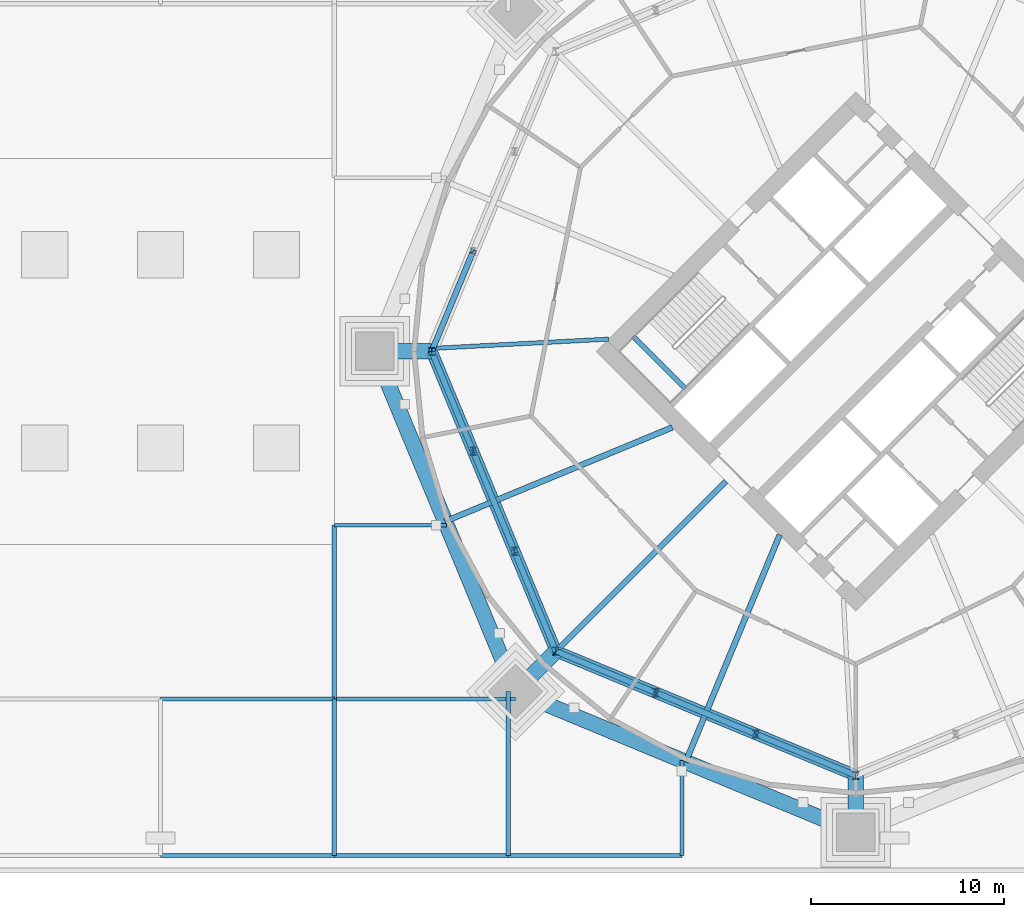
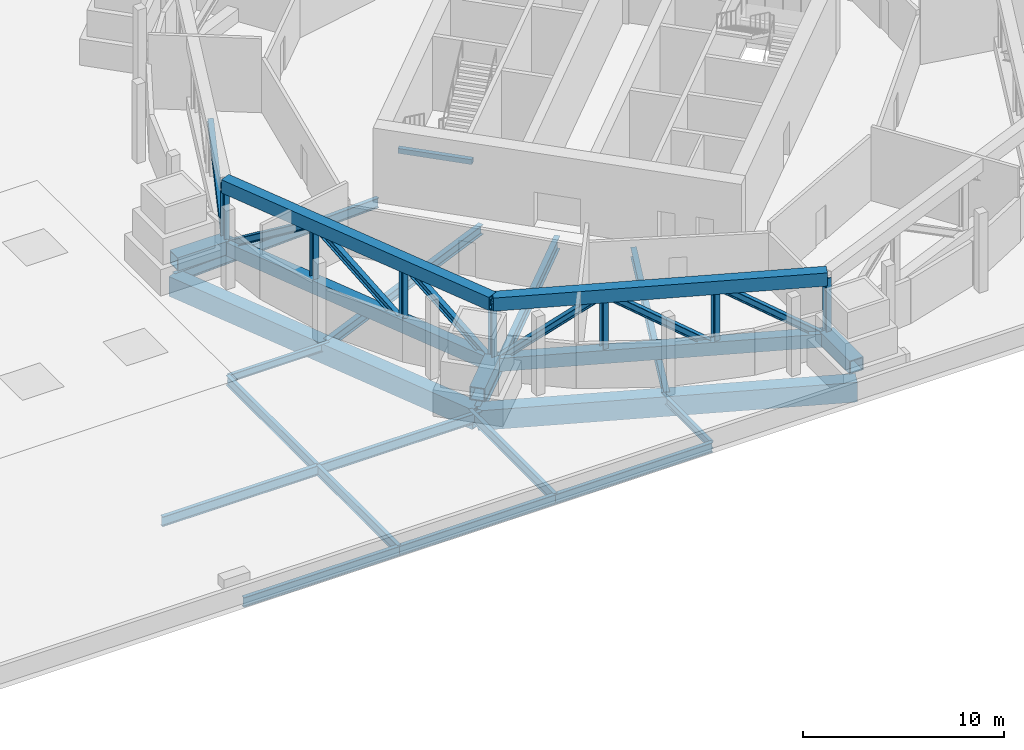
# One storey, part 6 of 21: 20 beams, 18 members.
"""IFC4 building model written with IfcOpenShell, lengths in metres."""

from ifc_helpers import new_model, si_unit, direction, frame, origin, origin_2d, place, context, subcontext, project, spatial, rectangle, hollow_rectangle, i_section, extrude, material, material_profile, profile_set, type_object, element, save


model = new_model("IFC4")

# Units and contexts
model_context = context("Model", 3, precision=1e-05, world=origin(), true_north=direction((0.0, 1.0)))
body_context = subcontext(model_context, "Body", "Model", "MODEL_VIEW")
ifc_project = project(units=[si_unit("LENGTHUNIT", "METRE"), si_unit("AREAUNIT", "SQUARE_METRE"), si_unit("VOLUMEUNIT", "CUBIC_METRE"), si_unit("PLANEANGLEUNIT", "RADIAN"), si_unit("MASSUNIT", "GRAM", prefix="KILO")], contexts=[model_context])

# Site, building, storey
site_placement = place(None, origin())
site = spatial("IfcSite", under=ifc_project, at=site_placement, CompositionType="ELEMENT")
building_placement = place(site_placement, origin())
building = spatial("IfcBuilding", under=site, at=building_placement, Name="Ogive Gate Towers", CompositionType="ELEMENT")
storey_placement = place(building_placement, frame((0.0, 0.0, 27.60009765625)))
storey = spatial("IfcBuildingStorey", under=building, at=storey_placement, Name="L05", CompositionType="ELEMENT", Elevation=27.60009765625)

# Beams
ifc_material_1 = material(Name="Steel SM460", Category="steel")
ifc_material_profile_1 = material_profile(ifc_material_1, hollow_rectangle(XDim=0.800048828125, YDim=1.199951171875, WallThickness=0.050048828125, at=origin_2d()), Name="BX 1200x800x50")
ifc_profile_set_1 = profile_set([ifc_material_profile_1], Name="Steel SM460")
beam_type_1 = type_object("IfcBeamType", Name="Edge girder BX 1200x800x50", PredefinedType="BEAM", material=ifc_profile_set_1)
for number, where, z_axis, x_axis, name in (
    (1, (18.385986328125, -17.614013671875, -0.900146484375), (0.923880736283, -0.382680526191, 0.0), (0.382680526191, 0.923880736283, 0.0), "T2/L05/SBM017"),
    (2, (11.090087890625, 0.0, -0.900146484375), (0.382680526191, -0.923880736283, 0.0), (0.923880736283, 0.382680526191, 0.0), "T2/L05/SBM024"),
):
    element("IfcBeam", number, at=place(storey_placement, frame(where, z_axis=z_axis, x_axis=x_axis)), inside=storey, type_object=beam_type_1, Name=name, PredefinedType="BEAM", context=body_context, shape_type="SweptSolid", body=[
        extrude(hollow_rectangle(XDim=0.800048828125, YDim=1.199951171875, WallThickness=0.050048828125, at=origin_2d()), origin(), (0.0, 0.0, 1.0), 19.065185546875),
    ])
ifc_material_2 = material(Name="Steel SM355", Category="steel")
ifc_material_profile_2 = material_profile(ifc_material_2, i_section(OverallWidth=0.18994140625, OverallDepth=0.449951171875, WebThickness=0.009521484375, FlangeThickness=0.0146484375, FilletRadius=0.02099609375, at=origin_2d()), Name="IPE 450")
ifc_profile_set_2 = profile_set([ifc_material_profile_2], Name="Steel SM355")
beam_type_2 = type_object("IfcBeamType", Name="Floor beam IPE 450", PredefinedType="BEAM", material=ifc_profile_set_2)
beam_1_placement = place(storey_placement, frame((9.0, -9.0, -0.525146484375), z_axis=(1.0, 0.0, 0.0), x_axis=(0.0, 1.0, 0.0)))
element("IfcBeam", 3, at=beam_1_placement, inside=storey, type_object=beam_type_2, Name="PD/L05/SBM059", PredefinedType="BEAM", context=body_context, shape_type="SweptSolid", body=[
    extrude(i_section(OverallWidth=0.18994140625, OverallDepth=0.449951171875, WebThickness=0.009521484375, FlangeThickness=0.0146484375, FilletRadius=0.02099609375, at=origin_2d()), origin(), (0.0, 0.0, 1.0), 5.81787109375),
])
beam_2_placement = place(storey_placement, frame((27.0, -26.10009765625, -0.525146484375), z_axis=(0.0, 1.0, 0.0), x_axis=(-1.0, 0.0, 0.0)))
element("IfcBeam", 4, at=beam_2_placement, inside=storey, type_object=beam_type_2, Name="PD/L05/SBM061", PredefinedType="BEAM", context=body_context, shape_type="SweptSolid", body=[
    extrude(i_section(OverallWidth=0.18994140625, OverallDepth=0.449951171875, WebThickness=0.009521484375, FlangeThickness=0.0146484375, FilletRadius=0.02099609375, at=origin_2d()), origin(), (0.0, 0.0, 1.0), 4.91796875),
])
ifc_material_profile_3 = material_profile(ifc_material_2, i_section(OverallWidth=0.219970703125, OverallDepth=0.60009765625, WebThickness=0.011962890625, FlangeThickness=0.01904296875, FilletRadius=0.02392578125, at=origin_2d()), Name="IPE 600")
ifc_profile_set_3 = profile_set([ifc_material_profile_3], Name="Steel SM355")
beam_type_3 = type_object("IfcBeamType", Name="Floor beam IPE 600", PredefinedType="BEAM", material=ifc_profile_set_3)
beam_3_placement = place(storey_placement, frame((9.0, -26.10009765625, -0.60009765625), z_axis=(0.0, 1.0, 0.0), x_axis=(-1.0, 0.0, 0.0)))
element("IfcBeam", 5, at=beam_3_placement, inside=storey, type_object=beam_type_3, Name="PD/L05/SBM011", PredefinedType="BEAM", context=body_context, shape_type="SweptSolid", body=[
    extrude(i_section(OverallWidth=0.219970703125, OverallDepth=0.60009765625, WebThickness=0.011962890625, FlangeThickness=0.01904296875, FilletRadius=0.02392578125, at=origin_2d()), origin(), (0.0, 0.0, 1.0), 8.10009765625),
])
beam_4_placement = place(storey_placement, frame((9.0, -18.0, -0.60009765625), z_axis=(0.0, 1.0, 0.0), x_axis=(-1.0, 0.0, 0.0)))
element("IfcBeam", 6, at=beam_4_placement, inside=storey, type_object=beam_type_3, Name="PD/L05/SBM012", PredefinedType="BEAM", context=body_context, shape_type="SweptSolid", body=[
    extrude(i_section(OverallWidth=0.219970703125, OverallDepth=0.60009765625, WebThickness=0.011962890625, FlangeThickness=0.01904296875, FilletRadius=0.02392578125, at=origin_2d()), origin(), (0.0, 0.0, 1.0), 9.0),
])
beam_5_placement = place(storey_placement, frame((18.0, -26.10009765625, -0.60009765625), z_axis=(0.0, 1.0, 0.0), x_axis=(-1.0, 0.0, 0.0)))
element("IfcBeam", 7, at=beam_5_placement, inside=storey, type_object=beam_type_3, Name="PD/L05/SBM015", PredefinedType="BEAM", context=body_context, shape_type="SweptSolid", body=[
    extrude(i_section(OverallWidth=0.219970703125, OverallDepth=0.60009765625, WebThickness=0.011962890625, FlangeThickness=0.01904296875, FilletRadius=0.02392578125, at=origin_2d()), origin(), (0.0, 0.0, 1.0), 8.486083984375),
])
beam_6_placement = place(storey_placement, frame((0.0, -18.0, -0.60009765625), z_axis=(1.0, 0.0, 0.0), x_axis=(0.0, 1.0, 0.0)))
element("IfcBeam", 8, at=beam_6_placement, inside=storey, type_object=beam_type_3, Name="PD/L05/SBM022", PredefinedType="BEAM", context=body_context, shape_type="SweptSolid", body=[
    extrude(i_section(OverallWidth=0.219970703125, OverallDepth=0.60009765625, WebThickness=0.011962890625, FlangeThickness=0.01904296875, FilletRadius=0.02392578125, at=origin_2d()), origin(), (0.0, 0.0, 1.0), 9.0),
])
beam_7_placement = place(storey_placement, frame((9.0, -18.0, -0.60009765625), z_axis=(1.0, 0.0, 0.0), x_axis=(0.0, 1.0, 0.0)))
element("IfcBeam", 9, at=beam_7_placement, inside=storey, type_object=beam_type_3, Name="PD/L05/SBM023", PredefinedType="BEAM", context=body_context, shape_type="SweptSolid", body=[
    extrude(i_section(OverallWidth=0.219970703125, OverallDepth=0.60009765625, WebThickness=0.011962890625, FlangeThickness=0.01904296875, FilletRadius=0.02392578125, at=origin_2d()), origin(), (0.0, 0.0, 1.0), 9.385986328125),
])
for number, where, z_axis, x_axis, name in (
    (10, (27.0, -26.10009765625, -0.60009765625), (-1.0, 0.0, 0.0), (0.0, -1.0, 0.0), "PD/L05/SBM032"),
    (11, (18.0, -26.10009765625, -0.60009765625), (-1.0, 0.0, 0.0), (0.0, -1.0, 0.0), "PD/L05/SBM033"),
    (12, (9.0, -26.10009765625, -0.60009765625), (-1.0, 0.0, 0.0), (0.0, -1.0, 0.0), "PD/L05/SBM034"),
):
    element("IfcBeam", number, at=place(storey_placement, frame(where, z_axis=z_axis, x_axis=x_axis)), inside=storey, type_object=beam_type_3, Name=name, PredefinedType="BEAM", context=body_context, shape_type="SweptSolid", body=[
        extrude(i_section(OverallWidth=0.219970703125, OverallDepth=0.60009765625, WebThickness=0.011962890625, FlangeThickness=0.01904296875, FilletRadius=0.02392578125, at=origin_2d()), origin(), (0.0, 0.0, 1.0), 9.0),
    ])
ifc_material_3 = material(Name="Concrete C40/50", Category="concrete")
ifc_material_profile_4 = material_profile(ifc_material_3, rectangle(XDim=0.25, YDim=0.300048828125, at=origin_2d()), Name="RC 250x300")
ifc_profile_set_4 = profile_set([ifc_material_profile_4], Name="Concrete C40/50")
beam_type_4 = type_object("IfcBeamType", Name="Landing bearer RC 250x300", PredefinedType="BEAM", material=ifc_profile_set_4)
beam_8_placement = place(storey_placement, frame((24.472412109375, 0.77587890625, 2.0498046875), z_axis=(0.707106781187, -0.707106781187, 0.0), x_axis=(0.707106781187, 0.707106781187, 0.0)))
element("IfcBeam", 13, at=beam_8_placement, inside=storey, type_object=beam_type_4, Name="T2 L05 stair 1 landing bearer 1", PredefinedType="BEAM", context=body_context, shape_type="SweptSolid", body=[
    extrude(rectangle(XDim=0.25, YDim=0.300048828125, at=origin_2d()), origin(), (0.0, 0.0, 1.0), 3.824951171875),
])
ifc_material_profile_5 = material_profile(ifc_material_1, hollow_rectangle(XDim=0.800048828125, YDim=0.800048828125, WallThickness=0.050048828125, at=origin_2d()), Name="BX 800x800x50")
ifc_profile_set_5 = profile_set([ifc_material_profile_5], Name="Steel SM460")
beam_type_5 = type_object("IfcBeamType", Name="Node arm BX 800x800x50", PredefinedType="BEAM", material=ifc_profile_set_5)
for number, where, z_axis, x_axis, name in (
    (14, (14.0400390625, 0.0, 0.449951171875), (-1.0, 0.0, 0.0), (0.0, -1.0, 0.0), "T2/L05/SBM029"),
    (15, (20.471923828125, -15.528076171875, 0.449951171875), (-0.707106781187, -0.707106781187, 0.0), (0.707106781187, -0.707106781187, 0.0), "T2/L05/SBM030"),
    (16, (36.0, -21.9599609375, 0.449951171875), (0.0, -1.0, 0.0), (1.0, 0.0, 0.0), "T2/L05/SBM031"),
):
    element("IfcBeam", number, at=place(storey_placement, frame(where, z_axis=z_axis, x_axis=x_axis)), inside=storey, type_object=beam_type_5, Name=name, PredefinedType="BEAM", context=body_context, shape_type="SweptSolid", body=[
        extrude(hollow_rectangle(XDim=0.800048828125, YDim=0.800048828125, WallThickness=0.050048828125, at=origin_2d()), origin(), (0.0, 0.0, 1.0), 2.949951171875),
    ])
ifc_material_profile_6 = material_profile(ifc_material_2, i_section(OverallWidth=0.300048828125, OverallDepth=0.590087890625, WebThickness=0.012939453125, FlangeThickness=0.02490234375, FilletRadius=0.027099609375, at=origin_2d()), Name="HE 600 A")
ifc_profile_set_6 = profile_set([ifc_material_profile_6], Name="Steel SM355")
beam_type_6 = type_object("IfcBeamType", Name="Radial floor beam HE 600 A", PredefinedType="BEAM", material=ifc_profile_set_6)
for number, where, z_axis, x_axis, name in (
    (17, (32.06494140625, -9.5, -0.59521484375), (-0.382690523214, -0.923876595354, 0.0), (0.923876595354, -0.382690523214, 0.0), "T2/L05/SBM002"),
    (18, (26.5, -3.93505859375, -0.59521484375), (-0.923876595354, -0.382690523214, 0.0), (0.382690523214, -0.923876595354, 0.0), "T2/L05/SBM016"),
):
    element("IfcBeam", number, at=place(storey_placement, frame(where, z_axis=z_axis, x_axis=x_axis)), inside=storey, type_object=beam_type_6, Name=name, PredefinedType="BEAM", context=body_context, shape_type="SweptSolid", body=[
        extrude(i_section(OverallWidth=0.300048828125, OverallDepth=0.590087890625, WebThickness=0.012939453125, FlangeThickness=0.02490234375, FilletRadius=0.027099609375, at=origin_2d()), origin(), (0.0, 0.0, 1.0), 12.731201171875),
    ])
ifc_material_profile_7 = material_profile(ifc_material_2, i_section(OverallWidth=0.300048828125, OverallDepth=0.7900390625, WebThickness=0.014892578125, FlangeThickness=0.028076171875, FilletRadius=0.030029296875, at=origin_2d()), Name="HE 800 A")
ifc_profile_set_7 = profile_set([ifc_material_profile_7], Name="Steel SM355")
beam_type_7 = type_object("IfcBeamType", Name="Radial floor beam HE 800 A", PredefinedType="BEAM", material=ifc_profile_set_7)
beam_9_placement = place(storey_placement, frame((29.282470703125, -6.717529296875, -0.695068359375), z_axis=(-0.707106781187, -0.707106781187, 0.0), x_axis=(0.707106781187, -0.707106781187, 0.0)))
element("IfcBeam", 19, at=beam_9_placement, inside=storey, type_object=beam_type_7, Name="T2/L05/SBM001", PredefinedType="BEAM", context=body_context, shape_type="SweptSolid", body=[
    extrude(i_section(OverallWidth=0.300048828125, OverallDepth=0.7900390625, WebThickness=0.014892578125, FlangeThickness=0.028076171875, FilletRadius=0.030029296875, at=origin_2d()), origin(), (0.0, 0.0, 1.0), 15.409912109375),
])
ifc_material_profile_8 = material_profile(ifc_material_2, i_section(OverallWidth=0.219970703125, OverallDepth=0.60009765625, WebThickness=0.011962890625, FlangeThickness=0.01904296875, FilletRadius=0.02392578125, at=origin_2d()), Name="IPE 600")
ifc_profile_set_8 = profile_set([ifc_material_profile_8], Name="Steel SM355")
beam_type_8 = type_object("IfcBeamType", Name="Radial floor beam IPE 600", PredefinedType="BEAM", material=ifc_profile_set_8)
beam_10_placement = place(storey_placement, frame((23.201416015625, 0.636474609375, -0.60009765625), z_axis=(-0.998621996823, -0.052479590907, 0.0), x_axis=(0.052479590907, -0.998621996823, 0.0)))
element("IfcBeam", 20, at=beam_10_placement, inside=storey, type_object=beam_type_8, Name="T2/L05/SBM015", PredefinedType="BEAM", context=body_context, shape_type="SweptSolid", body=[
    extrude(i_section(OverallWidth=0.219970703125, OverallDepth=0.60009765625, WebThickness=0.011962890625, FlangeThickness=0.01904296875, FilletRadius=0.02392578125, at=origin_2d()), origin(), (0.0, 0.0, 1.0), 12.1279296875),
])

# Members
ifc_material_profile_9 = material_profile(ifc_material_1, hollow_rectangle(XDim=0.60009765625, YDim=0.800048828125, WallThickness=0.0400390625, at=origin_2d()), Name="BX 800x600x40")
ifc_profile_set_9 = profile_set([ifc_material_profile_9], Name="Steel SM460")
member_type_1 = type_object("IfcMemberType", Name="Truss chord BX 800x600x40", PredefinedType="CHORD", material=ifc_profile_set_9)
for number, where, z_axis, x_axis, name in (
    (21, (14.0400390625, 0.0, 0.39990234375), (0.382680640128, -0.923880689089, 0.0), (0.923880689089, 0.382680640128, 0.0), "T2/L05/STR034"),
    (22, (14.0400390625, 0.0, 4.099853515625), (0.382680640128, -0.923880689089, 0.0), (0.923880689089, 0.382680640128, 0.0), "T2/L05/STR035"),
    (23, (20.471923828125, -15.528076171875, 0.39990234375), (0.923880689089, -0.382680640128, 0.0), (0.382680640128, 0.923880689089, 0.0), "T2/L05/STR042"),
    (24, (20.471923828125, -15.528076171875, 4.099853515625), (0.923880689089, -0.382680640128, 0.0), (0.382680640128, 0.923880689089, 0.0), "T2/L05/STR043"),
):
    element("IfcMember", number, at=place(storey_placement, frame(where, z_axis=z_axis, x_axis=x_axis)), inside=storey, type_object=member_type_1, Name=name, PredefinedType="CHORD", context=body_context, shape_type="SweptSolid", body=[
        extrude(hollow_rectangle(XDim=0.60009765625, YDim=0.800048828125, WallThickness=0.0400390625, at=origin_2d()), origin(), (0.0, 0.0, 1.0), 16.807373046875),
    ])
ifc_material_profile_10 = material_profile(ifc_material_1, i_section(OverallWidth=0.300048828125, OverallDepth=0.39990234375, WebThickness=0.013427734375, FlangeThickness=0.02392578125, FilletRadius=0.027099609375, at=origin_2d()), Name="HE 400 B")
ifc_profile_set_10 = profile_set([ifc_material_profile_10], Name="Steel SM460")
member_type_2 = type_object("IfcMemberType", Name="Truss diagonal HE 400 B", PredefinedType="BRACE", material=ifc_profile_set_10)
for number, where, z_axis, x_axis, name in (
    (25, (16.18408203125, 5.176025390625, 4.099853515625), (-0.319339131165, -0.770930189005, -0.551079996904), (0.92387555344, -0.382693038551, 0.0), "T2/L05/STR030"),
    (26, (14.0400390625, 0.0, 0.39990234375), (0.319339131165, -0.770930189005, 0.551079996904), (0.92387555344, 0.382693038551, 0.0), "T2/L05/STR036"),
):
    element("IfcMember", number, at=place(storey_placement, frame(where, z_axis=z_axis, x_axis=x_axis)), inside=storey, type_object=member_type_2, Name=name, PredefinedType="BRACE", context=body_context, shape_type="SweptSolid", body=[
        extrude(i_section(OverallWidth=0.300048828125, OverallDepth=0.39990234375, WebThickness=0.013427734375, FlangeThickness=0.02392578125, FilletRadius=0.027099609375, at=origin_2d()), origin(), (0.0, 0.0, 1.0), 6.714111328125),
    ])
member_1_placement = place(storey_placement, frame((16.18408203125, -5.176025390625, 4.099853515625), z_axis=(0.319306475879, -0.770939140771, -0.551086395848), x_axis=(0.923890960058, 0.382655842662, 0.0)))
element("IfcMember", 27, at=member_1_placement, inside=storey, type_object=member_type_2, Name="T2/L05/STR037", PredefinedType="BRACE", context=body_context, shape_type="SweptSolid", body=[
    extrude(i_section(OverallWidth=0.300048828125, OverallDepth=0.39990234375, WebThickness=0.013427734375, FlangeThickness=0.02392578125, FilletRadius=0.027099609375, at=origin_2d()), origin(), (0.0, 0.0, 1.0), 6.7138671875),
])
for number, where, z_axis, x_axis, name in (
    (28, (18.327880859375, -10.35205078125, 4.099853515625), (0.319339131165, -0.770930189005, -0.551079996904), (0.92387555344, 0.382693038551, 0.0), "T2/L05/STR038"),
    (29, (20.471923828125, -15.528076171875, 0.39990234375), (0.770930189005, -0.319339131165, 0.551079996904), (0.382693038551, 0.92387555344, 0.0), "T2/L05/STR044"),
):
    element("IfcMember", number, at=place(storey_placement, frame(where, z_axis=z_axis, x_axis=x_axis)), inside=storey, type_object=member_type_2, Name=name, PredefinedType="BRACE", context=body_context, shape_type="SweptSolid", body=[
        extrude(i_section(OverallWidth=0.300048828125, OverallDepth=0.39990234375, WebThickness=0.013427734375, FlangeThickness=0.02392578125, FilletRadius=0.027099609375, at=origin_2d()), origin(), (0.0, 0.0, 1.0), 6.714111328125),
    ])
member_2_placement = place(storey_placement, frame((25.64794921875, -17.672119140625, 4.099853515625), z_axis=(0.770939140771, -0.319306475879, -0.551086395848), x_axis=(0.382655842662, 0.923890960058, 0.0)))
element("IfcMember", 30, at=member_2_placement, inside=storey, type_object=member_type_2, Name="T2/L05/STR045", PredefinedType="BRACE", context=body_context, shape_type="SweptSolid", body=[
    extrude(i_section(OverallWidth=0.300048828125, OverallDepth=0.39990234375, WebThickness=0.013427734375, FlangeThickness=0.02392578125, FilletRadius=0.027099609375, at=origin_2d()), origin(), (0.0, 0.0, 1.0), 6.7138671875),
])
member_3_placement = place(storey_placement, frame((30.823974609375, -19.81591796875, 4.099853515625), z_axis=(0.770930189005, -0.319339131165, -0.551079996904), x_axis=(0.382693038551, 0.92387555344, 0.0)))
element("IfcMember", 31, at=member_3_placement, inside=storey, type_object=member_type_2, Name="T2/L05/STR046", PredefinedType="BRACE", context=body_context, shape_type="SweptSolid", body=[
    extrude(i_section(OverallWidth=0.300048828125, OverallDepth=0.39990234375, WebThickness=0.013427734375, FlangeThickness=0.02392578125, FilletRadius=0.027099609375, at=origin_2d()), origin(), (0.0, 0.0, 1.0), 6.714111328125),
])
ifc_material_profile_11 = material_profile(ifc_material_1, i_section(OverallWidth=0.300048828125, OverallDepth=0.39990234375, WebThickness=0.013427734375, FlangeThickness=0.02392578125, FilletRadius=0.027099609375, at=origin_2d()), Name="HE 400 B")
ifc_profile_set_11 = profile_set([ifc_material_profile_11], Name="Steel SM460")
member_type_3 = type_object("IfcMemberType", Name="Truss post HE 400 B", PredefinedType="POST", material=ifc_profile_set_11)
for number, where, z_axis, x_axis, name in (
    (32, (14.0400390625, 0.0, 0.39990234375), (0.0, 0.0, 1.0), (1.0, 0.0, 0.0), "T2/L05/STR033"),
    (33, (16.18408203125, -5.176025390625, 0.39990234375), (0.0, 0.0, 1.0), (1.0, 0.0, 0.0), "T2/L05/STR039"),
    (34, (18.327880859375, -10.35205078125, 0.39990234375), (0.0, 0.0, 1.0), (1.0, 0.0, 0.0), "T2/L05/STR040"),
    (35, (20.471923828125, -15.528076171875, 0.39990234375), (0.0, 0.0, 1.0), (1.0, 0.0, 0.0), "T2/L05/STR041"),
    (36, (25.64794921875, -17.672119140625, 0.39990234375), (0.0, 0.0, 1.0), (1.0, 0.0, 0.0), "T2/L05/STR047"),
    (37, (30.823974609375, -19.81591796875, 0.39990234375), (0.0, 0.0, 1.0), (1.0, 0.0, 0.0), "T2/L05/STR048"),
    (38, (36.0, -21.9599609375, 0.39990234375), (0.0, 0.0, 1.0), (1.0, 0.0, 0.0), "T2/L05/STR049"),
):
    element("IfcMember", number, at=place(storey_placement, frame(where, z_axis=z_axis, x_axis=x_axis)), inside=storey, type_object=member_type_3, Name=name, PredefinedType="POST", context=body_context, shape_type="SweptSolid", body=[
        extrude(i_section(OverallWidth=0.300048828125, OverallDepth=0.39990234375, WebThickness=0.013427734375, FlangeThickness=0.02392578125, FilletRadius=0.027099609375, at=origin_2d()), origin(), (0.0, 0.0, 1.0), 3.699951171875),
    ])

save(model, "model.ifc")
